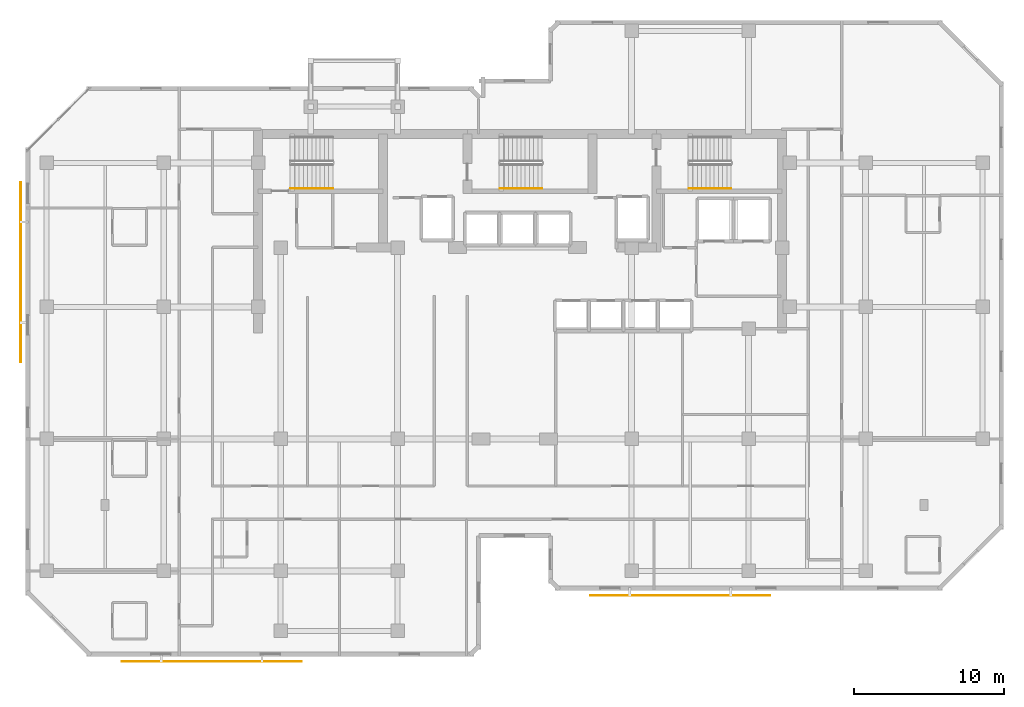
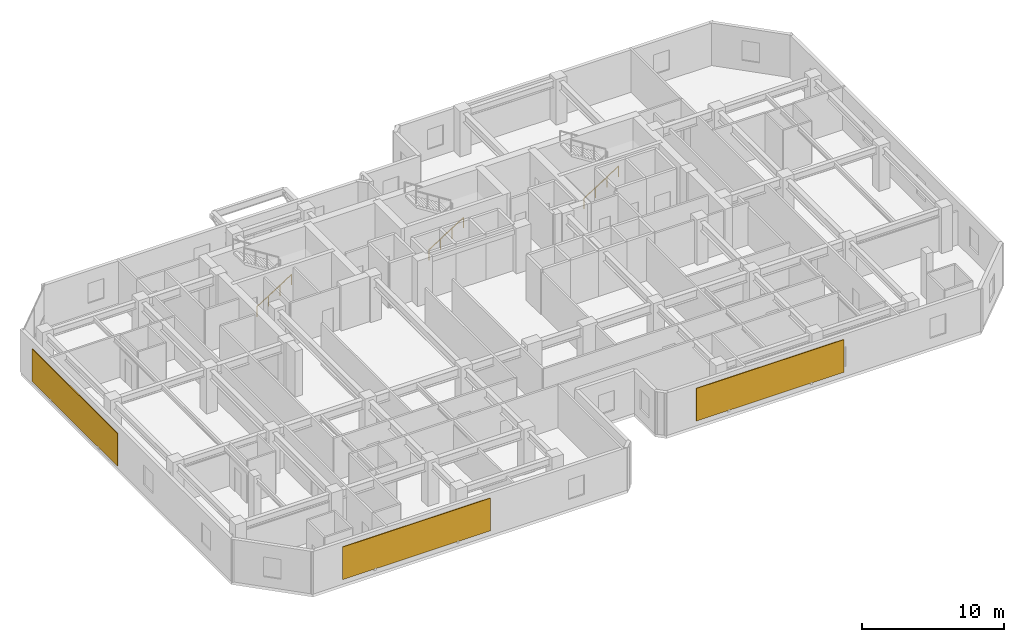
# One storey, part 9 of 10: 3 railings, 3 shading devices.
"""IFC4 building model written with IfcOpenShell, lengths in metres."""

import ifcopenshell
import ifcopenshell.guid

model = None  # the IFC model being written
_history = None  # IfcOwnerHistory: only IFC2X3 demands one
_inside = {}  # id of a spatial element -> (the spatial element, [elements in it])
_under = {}  # id of a project, library or spatial element -> (it, [spatial elements below it])
_declared = {}  # id of a project -> (the project, [libraries it declares])
_typed = {}  # id of a type object -> (the type object, [elements of that type])
_made_of = {}  # id of a material, layer set ... -> (it, [elements and type objects made of it])


def new_model(schema):
    """Start an empty IFC model of exactly this schema.

    Asked for "IFC4X3", IfcOpenShell would pick the latest addendum, in which some entities
    have other attributes; the version numbers below select the first issue.
    IFC2X3 requires an IfcOwnerHistory on every rooted entity: one is made here for all.
    """
    global model, _history
    if schema == "IFC4X3":
        model = ifcopenshell.file(schema_version=(4, 3, 0, 0))
    else:
        model = ifcopenshell.file(schema=schema)
    _inside.clear()
    _under.clear()
    _declared.clear()
    _typed.clear()
    _made_of.clear()
    _history = None
    if model.schema == "IFC2X3":
        org = make("IfcOrganization", Name="unknown")
        user = make(
            "IfcPersonAndOrganization",
            ThePerson=make("IfcPerson", FamilyName="unknown"),
            TheOrganization=org,
        )
        app = make(
            "IfcApplication",
            ApplicationDeveloper=org,
            Version="unknown",
            ApplicationFullName="unknown",
            ApplicationIdentifier="unknown",
        )
        _history = make(
            "IfcOwnerHistory",
            OwningUser=user,
            OwningApplication=app,
            ChangeAction="ADDED",
            CreationDate=0,
        )
    return model


def make(cls, **values):
    """One entity of the class cls with the attributes given. An attribute that is None is left unset."""
    return model.create_entity(
        cls, **{name: value for name, value in values.items() if value is not None}
    )


def rooted(cls, **values):
    """An entity with a GlobalId (a new one), such as an element, a storey or a relation."""
    return make(cls, GlobalId=ifcopenshell.guid.new(), OwnerHistory=_history, **values)


def si_unit(unit_type, name, prefix=None):
    """IfcSIUnit, for example si_unit("LENGTHUNIT", "METRE", prefix="MILLI")."""
    return make("IfcSIUnit", UnitType=unit_type, Prefix=prefix, Name=name)


def assignment(units):
    """IfcUnitAssignment: the units of a project."""
    return None if units is None else make("IfcUnitAssignment", Units=units)


def point(xyz):
    """IfcCartesianPoint."""
    return None if xyz is None else make("IfcCartesianPoint", Coordinates=xyz)


def direction(xyz):
    """IfcDirection."""
    return None if xyz is None else make("IfcDirection", DirectionRatios=xyz)


def frame(location, z_axis=None, x_axis=None):
    """IfcAxis2Placement3D, a coordinate frame: its origin and axes. An axis left out is left unset."""
    return make(
        "IfcAxis2Placement3D",
        Location=point(location),
        Axis=direction(z_axis),
        RefDirection=direction(x_axis),
    )


def frame_2d(location, x_axis=None):
    """IfcAxis2Placement2D, a coordinate frame in the plane: its origin and x axis."""
    return make(
        "IfcAxis2Placement2D", Location=point(location), RefDirection=direction(x_axis)
    )


def origin():
    """The frame at (0, 0, 0) with its axes left unset."""
    return frame((0.0, 0.0, 0.0))


def origin_2d():
    """The frame at (0, 0) in the plane with its x axis left unset."""
    return frame_2d((0.0, 0.0))


def place(relative_to, where):
    """IfcLocalPlacement: puts the frame where relative to a parent placement (None: the world)."""
    return make(
        "IfcLocalPlacement", PlacementRelTo=relative_to, RelativePlacement=where
    )


def context(
    kind, dimensions, precision=None, world=None, true_north=None, identifier=None
):
    """IfcGeometricRepresentationContext, for example the 3D "Model" context."""
    return make(
        "IfcGeometricRepresentationContext",
        ContextIdentifier=identifier,
        ContextType=kind,
        CoordinateSpaceDimension=dimensions,
        Precision=precision,
        WorldCoordinateSystem=world,
        TrueNorth=true_north,
    )


def subcontext(parent, identifier, kind, view, scale=None):
    """IfcGeometricRepresentationSubContext, for example "Body" below "Model"."""
    return make(
        "IfcGeometricRepresentationSubContext",
        ContextIdentifier=identifier,
        ContextType=kind,
        ParentContext=parent,
        TargetScale=scale,
        TargetView=view,
    )


def project(units=None, contexts=None):
    """IfcProject with its units and contexts."""
    return rooted(
        "IfcProject",
        Name="project",
        RepresentationContexts=contexts,
        UnitsInContext=assignment(units),
    )


def spatial(cls, under=None, at=None, **own):
    """A site, building, storey or space (cls), placed at a placement, below another one or the project."""
    s = rooted(cls, ObjectPlacement=at, **own)
    if under is not None:
        _under.setdefault(under.id(), (under, []))[1].append(s)
    return s


def profile(cls, at=None, kind="AREA", **sizes):
    """A parametric profile (cls). Its sizes go by their IFC names, for example OverallWidth=200.0."""
    return make(cls, ProfileType=kind, Position=at, **sizes)


def rectangle(**sizes):
    """IfcRectangleProfileDef."""
    return profile("IfcRectangleProfileDef", **sizes)


def circle(**sizes):
    """IfcCircleProfileDef."""
    return profile("IfcCircleProfileDef", **sizes)


def extrude(swept, where, along, depth):
    """IfcExtrudedAreaSolid: the profile swept, set in the frame where, extruded along a direction by depth."""
    return make(
        "IfcExtrudedAreaSolid",
        SweptArea=swept,
        Position=where,
        ExtrudedDirection=direction(along),
        Depth=depth,
    )


def shape(context_of_items, identifier, shape_type, items):
    """IfcShapeRepresentation: the items that make up one representation, for example the "Body"."""
    return make(
        "IfcShapeRepresentation",
        ContextOfItems=context_of_items,
        RepresentationIdentifier=identifier,
        RepresentationType=shape_type,
        Items=items,
    )


def material(Name=None, Category=None):
    """IfcMaterial."""
    return make("IfcMaterial", Name=Name, Category=Category)


def layer(
    of_material, thickness, ventilated=None, Name=None, Category=None, Priority=None
):
    """IfcMaterialLayer: one layer of a wall or slab, of a material (None: an air gap)."""
    return make(
        "IfcMaterialLayer",
        Material=of_material,
        LayerThickness=thickness,
        IsVentilated=ventilated,
        Name=Name,
        Category=Category,
        Priority=Priority,
    )


def layer_set(layers, Name=None):
    """IfcMaterialLayerSet."""
    return make("IfcMaterialLayerSet", MaterialLayers=layers, LayerSetName=Name)


def made_of(thing, what):
    """Note that an element or type object is made of a material, layer set ...; save() writes the relation."""
    if what is not None:
        _made_of.setdefault(what.id(), (what, []))[1].append(thing)
    return thing


def type_object(cls, material=None, **own):
    """A type object (cls), such as IfcWallType, which elements share."""
    return made_of(rooted(cls, **own), material)


def element(
    cls,
    number,
    at=None,
    inside=None,
    cuts=None,
    type_object=None,
    material=None,
    context=None,
    identifier="Body",
    shape_type=None,
    held_by="IfcProductDefinitionShape",
    body=None,
    shapes=None,
    **own,
):
    """One element of the class cls, such as IfcWall. Its Tag is "e" and its number.

    at: its placement. inside: the storey or other place that contains it. cuts: it is an
    opening in that element (IfcRelVoidsElement). A single representation is given by context,
    identifier, shape_type and body (its items); several are given by shapes. held_by: the class
    of the entity that holds the representations. save() writes the other relations.
    """
    e = rooted(cls, Tag="e%d" % number, ObjectPlacement=at, **own)
    if body is not None:
        shapes = [shape(context, identifier, shape_type, body)]
    if shapes is not None:
        e.Representation = make(held_by, Representations=shapes)
    if inside is not None:
        _inside.setdefault(inside.id(), (inside, []))[1].append(e)
    if cuts is not None:
        rooted(
            "IfcRelVoidsElement", RelatingBuildingElement=cuts, RelatedOpeningElement=e
        )
    if type_object is not None:
        _typed.setdefault(type_object.id(), (type_object, []))[1].append(e)
    return made_of(e, material)


def aggregate(whole, parts):
    """IfcRelAggregates: a whole, such as a stair, and the parts it consists of."""
    return rooted("IfcRelAggregates", RelatingObject=whole, RelatedObjects=parts)


def save(model, path):
    """Write the relations noted so far, then the file.

    IfcRelAggregates (storeys below a building ...), IfcRelContainedInSpatialStructure (elements
    in a storey), IfcRelDefinesByType, IfcRelAssociatesMaterial and IfcRelDeclares: one each for
    every whole, place, type object, material and project.
    """
    for whole, parts in _under.values():
        aggregate(whole, parts)
    for where, things in _inside.values():
        rooted(
            "IfcRelContainedInSpatialStructure",
            RelatedElements=things,
            RelatingStructure=where,
        )
    for kind, things in _typed.values():
        rooted("IfcRelDefinesByType", RelatedObjects=things, RelatingType=kind)
    for what, things in _made_of.values():
        rooted("IfcRelAssociatesMaterial", RelatedObjects=things, RelatingMaterial=what)
    for by, libraries in _declared.values():
        rooted("IfcRelDeclares", RelatingContext=by, RelatedDefinitions=libraries)
    model.write(path)


model = new_model("IFC4")

# Units and contexts
model_context = context("Model", 3, precision=1e-05, world=origin(), true_north=direction((0.0, 1.0)))
body_context = subcontext(model_context, "Body", "Model", "MODEL_VIEW")
ifc_project = project(units=[si_unit("LENGTHUNIT", "METRE"), si_unit("AREAUNIT", "SQUARE_METRE"), si_unit("VOLUMEUNIT", "CUBIC_METRE"), si_unit("PLANEANGLEUNIT", "RADIAN"), si_unit("MASSUNIT", "GRAM", prefix="KILO")], contexts=[model_context])

# Site, building, storey
site_placement = place(None, origin())
site = spatial("IfcSite", under=ifc_project, at=site_placement, CompositionType="ELEMENT")
building_placement = place(site_placement, origin())
building = spatial("IfcBuilding", under=site, at=building_placement, Name="Kestravale Grand Hotel", CompositionType="ELEMENT")
storey_placement = place(building_placement, frame((0.0, 0.0, 212.39990234375)))
storey = spatial("IfcBuildingStorey", under=building, at=storey_placement, Name="L53", CompositionType="ELEMENT", Elevation=212.39990234375)

# Railings
ifc_material_1 = material(Name="Brushed stainless steel wall handrail", Category="steel")
railing_type = type_object("IfcRailingType", Name="RL-ST-HND900", PredefinedType="HANDRAIL", material=ifc_material_1)
railing_placement = place(storey_placement, frame((24.080078125, 36.699951171875, 0.177490234375)))
element("IfcRailing", 1, at=railing_placement, inside=storey, type_object=railing_type, Name="L53 ST-1 stair handrail 1", PredefinedType="HANDRAIL", context=body_context, shape_type="SweptSolid", body=[
    extrude(circle(Radius=0.02392578125, at=origin_2d()), frame((0.0, 0.0, 0.8759765625), z_axis=(0.844887892834, 0.0, 0.53494340686), x_axis=(0.0, 1.0, 0.0)), (0.0, 0.0, 1.0), 3.313720703125),
    extrude(circle(Radius=0.02099609375, at=origin_2d()), origin(), (0.0, 0.0, 1.0), 0.851806640625),
    extrude(circle(Radius=0.02099609375, at=origin_2d()), frame((0.933349609375, 0.0, 0.5908203125)), (0.0, 0.0, 1.0), 0.851806640625),
    extrude(circle(Radius=0.02099609375, at=origin_2d()), frame((1.866455078125, 0.0, 1.181884765625)), (0.0, 0.0, 1.0), 0.851806640625),
    extrude(circle(Radius=0.02099609375, at=origin_2d()), frame((2.7998046875, 0.0, 1.772705078125)), (0.0, 0.0, 1.0), 0.851806640625),
])
for number, where, name in (
    (2, (38.030029296875, 36.699951171875, 0.177490234375), "L53 ST-2 stair handrail 1"),
    (3, (50.6298828125, 36.699951171875, 0.177490234375), "L53 ST-3 stair handrail 1"),
):
    element("IfcRailing", number, at=place(storey_placement, frame(where)), inside=storey, type_object=railing_type, Name=name, PredefinedType="HANDRAIL", context=body_context, shape_type="SweptSolid", body=[
        extrude(circle(Radius=0.02392578125, at=origin_2d()), frame((0.0, 0.0, 0.8759765625), z_axis=(0.844908973607, 0.0, 0.534910110503), x_axis=(0.0, 1.0, 0.0)), (0.0, 0.0, 1.0), 3.31396484375),
        extrude(circle(Radius=0.02099609375, at=origin_2d()), origin(), (0.0, 0.0, 1.0), 0.851806640625),
        extrude(circle(Radius=0.02099609375, at=origin_2d()), frame((0.933349609375, 0.0, 0.5908203125)), (0.0, 0.0, 1.0), 0.851806640625),
        extrude(circle(Radius=0.02099609375, at=origin_2d()), frame((1.86669921875, 0.0, 1.181884765625)), (0.0, 0.0, 1.0), 0.851806640625),
        extrude(circle(Radius=0.02099609375, at=origin_2d()), frame((2.800048828125, 0.0, 1.772705078125)), (0.0, 0.0, 1.0), 0.851806640625),
    ])

# Shading devices
ifc_material_2 = material(Name="Perforated champagne-bronze aluminium and ceramic solar screen", Category="aluminium")
ifc_layer = layer(ifc_material_2, 0.06494140625)
ifc_layer_set = layer_set([ifc_layer], Name="SHD-SCR-CHEV")
shading_device_type = type_object("IfcShadingDeviceType", Name="SHD-SCR-CHEV", PredefinedType="USERDEFINED", material=ifc_layer_set)
for number, where, z_axis, x_axis, name in (
    (4, (18.800048828125, 5.159912109375, 0.7001953125), (0.0, 0.0, 1.0), (1.0, 0.0, 0.0), "L53 Perforated bronze ceramic chevron solar screen SCR-L53-01"),
    (5, (50.050048828125, 9.56005859375, 0.7001953125), (0.0, 0.0, 1.0), (1.0, 0.0, 0.0), "L53 Perforated bronze ceramic chevron solar screen SCR-L53-07"),
    (6, (6.06005859375, 31.10009765625, 0.7001953125), (0.0, 0.0, 1.0), (0.0, -1.0, 0.0), "L53 Perforated bronze ceramic chevron solar screen SCR-L53-19"),
):
    element("IfcShadingDevice", number, at=place(storey_placement, frame(where, z_axis=z_axis, x_axis=x_axis)), inside=storey, type_object=shading_device_type, Name=name, ObjectType="SCREEN", PredefinedType="USERDEFINED", context=body_context, shape_type="SweptSolid", body=[
        extrude(rectangle(XDim=12.0, YDim=0.06494140625, at=origin_2d()), origin(), (0.0, 0.0, 1.0), 2.800048828125),
    ])

save(model, "model.ifc")
